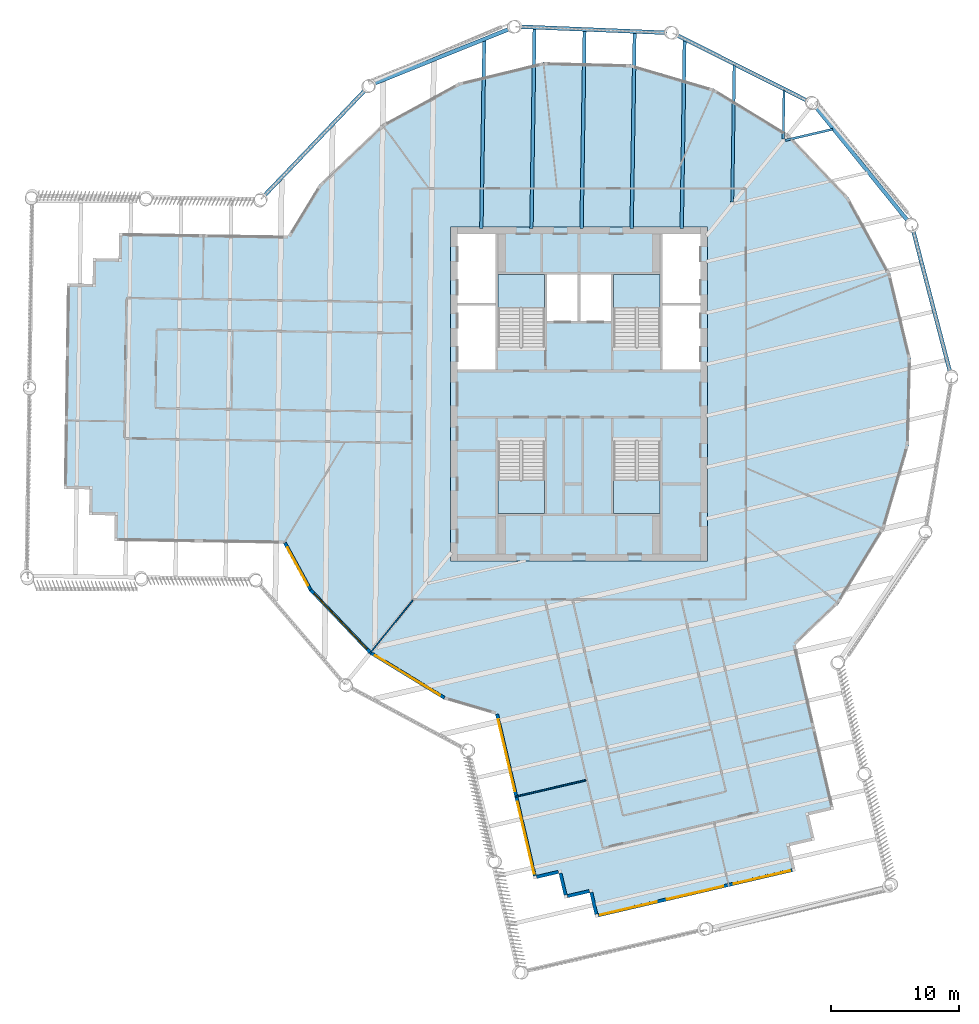
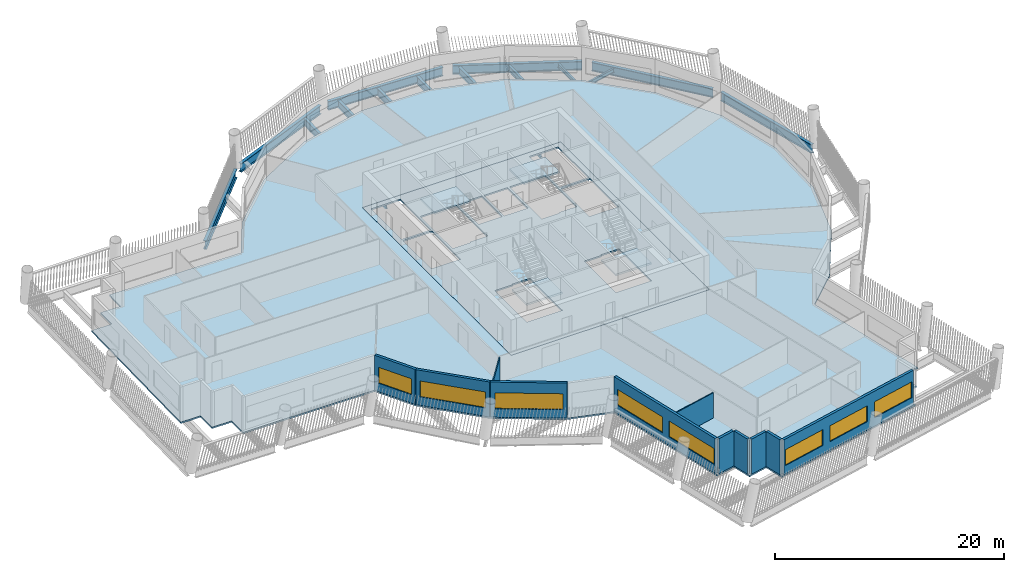
# One storey, part 2 of 15: 14 beams, 11 walls, 8 windows, 6 slabs, 8 openings, 4 elements without a shape of their own.
"""IFC4 building model written with IfcOpenShell, lengths in metres."""

from ifc_helpers import new_model, si_unit, direction, frame, frame_2d, origin, origin_2d, place, context, subcontext, project, spatial, polyline, rectangle, i_section, outline, extrude, material, layer, layer_set, material_profile, profile_set, type_object, element, fill, aggregate, save


model = new_model("IFC4")

# Units and contexts
model_context = context("Model", 3, precision=1e-05, world=origin(), true_north=direction((0.0, 1.0)))
body_context = subcontext(model_context, "Body", "Model", "MODEL_VIEW")
ifc_project = project(units=[si_unit("LENGTHUNIT", "METRE"), si_unit("AREAUNIT", "SQUARE_METRE"), si_unit("VOLUMEUNIT", "CUBIC_METRE"), si_unit("PLANEANGLEUNIT", "RADIAN"), si_unit("MASSUNIT", "GRAM", prefix="KILO")], contexts=[model_context])

# Site, building, storey
site_placement = place(None, origin())
site = spatial("IfcSite", under=ifc_project, at=site_placement, CompositionType="ELEMENT")
building_placement = place(site_placement, origin())
building = spatial("IfcBuilding", under=site, at=building_placement, Name="Tarsis Ring Headquarters", CompositionType="ELEMENT")
storey_placement = place(building_placement, frame((0.0, 0.0, 282.5)))
storey = spatial("IfcBuildingStorey", under=building, at=storey_placement, Name="L66", CompositionType="ELEMENT", Elevation=282.5)

# Beams
ifc_material_1 = material(Name="Structural steel S355", Category="steel")
ifc_material_profile_1 = material_profile(ifc_material_1, i_section(OverallWidth=0.177734375, OverallDepth=0.406494140625, WebThickness=0.0078125, FlangeThickness=0.0126953125, at=origin_2d()), Name="W16x40")
ifc_profile_set_1 = profile_set([ifc_material_profile_1], Name="Structural steel S355")
beam_type_1 = type_object("IfcBeamType", Name="FB Floor beam W16x40", PredefinedType="JOIST", material=ifc_profile_set_1)
beam_1_placement = place(storey_placement, frame((16.052490234375, 19.759521484375, -0.36328125), z_axis=(0.973894661256, 0.227000415806, 0.0), x_axis=(-0.227000415806, 0.973894661256, 0.0)))
element("IfcBeam", 1, at=beam_1_placement, inside=storey, type_object=beam_type_1, Name="Floor beam FB1", PredefinedType="JOIST", context=body_context, shape_type="SweptSolid", body=[
    extrude(i_section(OverallWidth=0.177734375, OverallDepth=0.406494140625, WebThickness=0.0078125, FlangeThickness=0.0126953125, at=origin_2d()), origin(), (0.0, 0.0, 1.0), 3.80517578125),
])
beam_2_placement = place(storey_placement, frame((15.965576171875, 23.681640625, -0.36328125), z_axis=(-0.015333455382, -0.999882435662, 0.0), x_axis=(0.999882435662, -0.015333455382, 0.0)))
element("IfcBeam", 2, at=beam_2_placement, inside=storey, type_object=beam_type_1, Name="Floor beam FB1", PredefinedType="JOIST", context=body_context, shape_type="SweptSolid", body=[
    extrude(i_section(OverallWidth=0.177734375, OverallDepth=0.406494140625, WebThickness=0.0078125, FlangeThickness=0.0126953125, at=origin_2d()), origin(), (0.0, 0.0, 1.0), 3.805419921875),
])
ifc_material_profile_2 = material_profile(ifc_material_1, i_section(OverallWidth=0.228271484375, OverallDepth=0.607177734375, WebThickness=0.01123046875, FlangeThickness=0.017333984375, at=origin_2d()), Name="W24x76")
ifc_profile_set_2 = profile_set([ifc_material_profile_2], Name="Structural steel S355")
beam_type_2 = type_object("IfcBeamType", Name="FB Floor beam W24x76", PredefinedType="JOIST", material=ifc_profile_set_2)
beam_3_placement = place(storey_placement, frame((12.094970703125, 25.62890625, -0.463623046875), z_axis=(-0.015355030377, -0.999882104571, 0.0), x_axis=(0.999882104571, -0.015355030377, 0.0)))
element("IfcBeam", 3, at=beam_3_placement, inside=storey, type_object=beam_type_2, Name="Floor beam FB4", PredefinedType="JOIST", context=body_context, shape_type="SweptSolid", body=[
    extrude(i_section(OverallWidth=0.228271484375, OverallDepth=0.607177734375, WebThickness=0.01123046875, FlangeThickness=0.017333984375, at=origin_2d()), origin(), (0.0, 0.0, 1.0), 10.6845703125),
])
ifc_material_profile_3 = material_profile(ifc_material_1, i_section(OverallWidth=0.2666015625, OverallDepth=0.7568359375, WebThickness=0.013916015625, FlangeThickness=0.019287109375, at=origin_2d()), Name="W30x108")
ifc_profile_set_3 = profile_set([ifc_material_profile_3], Name="Structural steel S355")
beam_type_3 = type_object("IfcBeamType", Name="FB Floor beam W30x108", PredefinedType="JOIST", material=ifc_profile_set_3)
beam_4_placement = place(storey_placement, frame((8.224609375, 27.576416015625, -0.538330078125), z_axis=(-0.015368724449, -0.99988189418, 0.0), x_axis=(0.99988189418, -0.015368724449, 0.0)))
element("IfcBeam", 4, at=beam_4_placement, inside=storey, type_object=beam_type_3, Name="Floor beam FB6", PredefinedType="JOIST", context=body_context, shape_type="SweptSolid", body=[
    extrude(i_section(OverallWidth=0.2666015625, OverallDepth=0.7568359375, WebThickness=0.013916015625, FlangeThickness=0.019287109375, at=origin_2d()), origin(), (0.0, 0.0, 1.0), 14.67822265625),
])
beam_5_placement = place(storey_placement, frame((4.33349609375, 28.185791015625, -0.538330078125), z_axis=(-0.015362898985, -0.999881983703, 0.0), x_axis=(0.999881983703, -0.015362898985, 0.0)))
element("IfcBeam", 5, at=beam_5_placement, inside=storey, type_object=beam_type_3, Name="Floor beam FB6", PredefinedType="JOIST", context=body_context, shape_type="SweptSolid", body=[
    extrude(i_section(OverallWidth=0.2666015625, OverallDepth=0.7568359375, WebThickness=0.013916015625, FlangeThickness=0.019287109375, at=origin_2d()), origin(), (0.0, 0.0, 1.0), 15.28759765625),
])
beam_6_placement = place(storey_placement, frame((0.435302734375, 28.3466796875, -0.538330078125), z_axis=(-0.015345118876, -0.999882256732, 0.0), x_axis=(0.999882256732, -0.015345118876, 0.0)))
element("IfcBeam", 6, at=beam_6_placement, inside=storey, type_object=beam_type_3, Name="Floor beam FB6", PredefinedType="JOIST", context=body_context, shape_type="SweptSolid", body=[
    extrude(i_section(OverallWidth=0.2666015625, OverallDepth=0.7568359375, WebThickness=0.013916015625, FlangeThickness=0.019287109375, at=origin_2d()), origin(), (0.0, 0.0, 1.0), 15.448486328125),
])
beam_7_placement = place(storey_placement, frame((-3.462646484375, 28.5078125, -0.538330078125), z_axis=(-0.015358738789, -0.999882047615, 0.0), x_axis=(0.999882047615, -0.015358738789, 0.0)))
element("IfcBeam", 7, at=beam_7_placement, inside=storey, type_object=beam_type_3, Name="Floor beam FB6", PredefinedType="JOIST", context=body_context, shape_type="SweptSolid", body=[
    extrude(i_section(OverallWidth=0.2666015625, OverallDepth=0.7568359375, WebThickness=0.013916015625, FlangeThickness=0.019287109375, at=origin_2d()), origin(), (0.0, 0.0, 1.0), 15.60986328125),
])
beam_8_placement = place(storey_placement, frame((-7.37744140625, 27.57568359375, -0.538330078125), z_axis=(-0.015352861546, -0.999882137875, 0.0), x_axis=(0.999882137875, -0.015352861546, 0.0)))
element("IfcBeam", 8, at=beam_8_placement, inside=storey, type_object=beam_type_3, Name="Floor beam FB6", PredefinedType="JOIST", context=body_context, shape_type="SweptSolid", body=[
    extrude(i_section(OverallWidth=0.2666015625, OverallDepth=0.7568359375, WebThickness=0.013916015625, FlangeThickness=0.019287109375, at=origin_2d()), origin(), (0.0, 0.0, 1.0), 14.677490234375),
])
ifc_material_profile_4 = material_profile(ifc_material_1, i_section(OverallWidth=0.309814453125, OverallDepth=0.93212890625, WebThickness=0.02099609375, FlangeThickness=0.034423828125, at=origin_2d()), Name="W36x210")
ifc_profile_set_4 = profile_set([ifc_material_profile_4], Name="Structural steel S355")
beam_type_4 = type_object("IfcBeamType", Name="XG Ring girder W36x210", PredefinedType="BEAM", material=ifc_profile_set_4)
for number, where, z_axis, x_axis, name in (
    (9, (28.906982421875, 1.676513671875, -0.466064453125), (-0.252163223208, 0.967684715629, 0.0), (-0.967684715629, -0.252163223208, 0.0), "Ring girder XG3"),
    (10, (25.64599609375, 13.442626953125, -0.466064453125), (-0.628616832862, 0.777715164724, 0.0), (-0.777715164724, -0.628616832862, 0.0), "Ring girder XG3"),
):
    element("IfcBeam", number, at=place(storey_placement, frame(where, z_axis=z_axis, x_axis=x_axis)), inside=storey, type_object=beam_type_4, Name=name, PredefinedType="BEAM", context=body_context, shape_type="SweptSolid", body=[
        extrude(i_section(OverallWidth=0.309814453125, OverallDepth=0.93212890625, WebThickness=0.02099609375, FlangeThickness=0.034423828125, at=origin_2d()), origin(), (0.0, 0.0, 1.0), 11.33447265625),
    ])
beam_9_placement = place(storey_placement, frame((17.8251953125, 22.818603515625, -0.466064453125), z_axis=(-0.893300011986, 0.449460886603, 0.0), x_axis=(-0.449460886603, -0.893300011986, 0.0)))
element("IfcBeam", 11, at=beam_9_placement, inside=storey, type_object=beam_type_4, Name="Ring girder XG3", PredefinedType="BEAM", context=body_context, shape_type="SweptSolid", body=[
    extrude(i_section(OverallWidth=0.309814453125, OverallDepth=0.93212890625, WebThickness=0.02099609375, FlangeThickness=0.034423828125, at=origin_2d()), origin(), (0.0, 0.0, 1.0), 11.334716796875),
])
for number, where, z_axis, x_axis, name in (
    (12, (6.834716796875, 28.137451171875, -0.466064453125), (-0.99914801515, 0.041270374618, 0.0), (-0.041270374618, -0.99914801515, 0.0), "Ring girder XG3"),
    (13, (-5.370849609375, 28.453125, -0.466064453125), (-0.927334433602, -0.374233681348, 0.0), (0.374233681348, -0.927334433602, 0.0), "Ring girder XG3"),
    (14, (-16.621337890625, 23.709716796875, -0.466064453125), (-0.690646321258, -0.723192684513, 0.0), (0.723192684513, -0.690646321258, 0.0), "Ring girder XG3"),
):
    element("IfcBeam", number, at=place(storey_placement, frame(where, z_axis=z_axis, x_axis=x_axis)), inside=storey, type_object=beam_type_4, Name=name, PredefinedType="BEAM", context=body_context, shape_type="SweptSolid", body=[
        extrude(i_section(OverallWidth=0.309814453125, OverallDepth=0.93212890625, WebThickness=0.02099609375, FlangeThickness=0.034423828125, at=origin_2d()), origin(), (0.0, 0.0, 1.0), 11.33447265625),
    ])

# Slab
ifc_material_2 = material(Name="Concrete C40/50", Category="concrete")
ifc_layer_1 = layer(ifc_material_2, 0.159912109375)
ifc_layer_set_1 = layer_set([ifc_layer_1], Name="Core floor slab 160 C40/50")
slab_type_1 = type_object("IfcSlabType", Name="Core floor slab 160 C40/50", PredefinedType="FLOOR", material=ifc_layer_set_1)
slab_1_placement = place(storey_placement, frame((0.0, 0.0, -0.159912109375)))
element("IfcSlab", 15, at=slab_1_placement, inside=storey, type_object=slab_type_1, Name="L66 core floor slab", PredefinedType="FLOOR", context=body_context, shape_type="SweptSolid", body=[
    extrude(outline(polyline([(-10.0, -13.0), (10.0, -13.0), (10.0, 13.0), (-10.0, 13.0), (-10.0, -13.0)]), holes=[polyline([(-2.5, 5.699951171875), (-0.10009765625, 5.699951171875), (-0.10009765625, 9.300048828125), (-2.5, 9.300048828125), (-2.5, 5.699951171875)]), polyline([(0.10009765625, 5.699951171875), (2.5, 5.699951171875), (2.5, 9.300048828125), (0.10009765625, 9.300048828125), (0.10009765625, 5.699951171875)]), polyline([(-9.449951171875, 1.89990234375), (-6.5, 1.89990234375), (-6.5, 6.89990234375), (-9.449951171875, 6.89990234375), (-9.449951171875, 1.89990234375)]), polyline([(-9.449951171875, 7.10009765625), (-6.5, 7.10009765625), (-6.5, 12.449951171875), (-9.449951171875, 12.449951171875), (-9.449951171875, 7.10009765625)]), polyline([(6.5, 1.89990234375), (9.449951171875, 1.89990234375), (9.449951171875, 6.89990234375), (6.5, 6.89990234375), (6.5, 1.89990234375)]), polyline([(6.5, 7.10009765625), (9.449951171875, 7.10009765625), (9.449951171875, 12.449951171875), (6.5, 12.449951171875), (6.5, 7.10009765625)]), polyline([(-2.699951171875, 3.760009765625), (-2.699951171875, 9.300048828125), (-6.300048828125, 9.300048828125), (-6.300048828125, 3.659912109375), (-4.4599609375, 3.659912109375), (-4.4599609375, 3.760009765625), (-2.699951171875, 3.760009765625)]), polyline([(6.300048828125, 3.760009765625), (6.300048828125, 9.300048828125), (2.699951171875, 9.300048828125), (2.699951171875, 3.659912109375), (4.5400390625, 3.659912109375), (4.5400390625, 3.760009765625), (6.300048828125, 3.760009765625)]), polyline([(-6.300048828125, -3.760009765625), (-6.300048828125, -9.300048828125), (-2.699951171875, -9.300048828125), (-2.699951171875, -3.659912109375), (-4.5400390625, -3.659912109375), (-4.5400390625, -3.760009765625), (-6.300048828125, -3.760009765625)]), polyline([(2.699951171875, -3.760009765625), (2.699951171875, -9.300048828125), (6.300048828125, -9.300048828125), (6.300048828125, -3.659912109375), (4.4599609375, -3.659912109375), (4.4599609375, -3.760009765625), (2.699951171875, -3.760009765625)])]), origin(), (0.0, 0.0, 1.0), 0.159912109375),
])

# Stair, slab
ifc_material_3 = material(Name="Core stair 1760")
stair_type = type_object("IfcStairType", Name="Core stair 1760", PredefinedType="HALF_TURN_STAIR", material=ifc_material_3)
stair_1_placement = place(storey_placement, origin())
stair_1 = element("IfcStair", 16, at=stair_1_placement, inside=storey, type_object=stair_type, Name="L66 Firefighting stair", PredefinedType="HALF_TURN_STAIR")
ifc_layer_2 = layer(ifc_material_2, 0.199951171875)
ifc_layer_set_2 = layer_set([ifc_layer_2], Name="Core stair landing 200")
slab_type_2 = type_object("IfcSlabType", Name="Core stair landing 200", PredefinedType="LANDING", material=ifc_layer_set_2)
slab_2_placement = place(storey_placement, frame((0.0, 0.0, 1.75)))
slab_2 = element("IfcSlab", 17, at=slab_2_placement, type_object=slab_type_2, Name="Stair ST1 landing 1", PredefinedType="LANDING", context=body_context, shape_type="SweptSolid", body=[
    extrude(outline(polyline([(-2.699951171875, 6.739990234375), (-2.699951171875, 9.300048828125), (-6.300048828125, 9.300048828125), (-6.300048828125, 6.739990234375), (-2.699951171875, 6.739990234375)])), origin(), (0.0, 0.0, 1.0), 0.199951171875),
])
aggregate(stair_1, [slab_2])

stair_2_placement = place(storey_placement, origin())
stair_2 = element("IfcStair", 18, at=stair_2_placement, inside=storey, type_object=stair_type, Name="L66 Exit stair B", PredefinedType="HALF_TURN_STAIR")
slab_3_placement = place(storey_placement, frame((0.0, 0.0, 1.75)))
slab_3 = element("IfcSlab", 19, at=slab_3_placement, type_object=slab_type_2, Name="Stair ST2 landing 1", PredefinedType="LANDING", context=body_context, shape_type="SweptSolid", body=[
    extrude(outline(polyline([(6.300048828125, 6.739990234375), (6.300048828125, 9.300048828125), (2.699951171875, 9.300048828125), (2.699951171875, 6.739990234375), (6.300048828125, 6.739990234375)])), origin(), (0.0, 0.0, 1.0), 0.199951171875),
])
aggregate(stair_2, [slab_3])

stair_3_placement = place(storey_placement, origin())
stair_3 = element("IfcStair", 20, at=stair_3_placement, inside=storey, type_object=stair_type, Name="L66 Exit stair C", PredefinedType="HALF_TURN_STAIR")
slab_4_placement = place(storey_placement, frame((0.0, 0.0, 1.75)))
slab_4 = element("IfcSlab", 21, at=slab_4_placement, type_object=slab_type_2, Name="Stair ST3 landing 1", PredefinedType="LANDING", context=body_context, shape_type="SweptSolid", body=[
    extrude(outline(polyline([(-6.300048828125, -6.739990234375), (-6.300048828125, -9.300048828125), (-2.699951171875, -9.300048828125), (-2.699951171875, -6.739990234375), (-6.300048828125, -6.739990234375)])), origin(), (0.0, 0.0, 1.0), 0.199951171875),
])
aggregate(stair_3, [slab_4])

stair_4_placement = place(storey_placement, origin())
stair_4 = element("IfcStair", 22, at=stair_4_placement, inside=storey, type_object=stair_type, Name="L66 Exit stair D", PredefinedType="HALF_TURN_STAIR")
slab_5_placement = place(storey_placement, frame((0.0, 0.0, 1.75)))
slab_5 = element("IfcSlab", 23, at=slab_5_placement, type_object=slab_type_2, Name="Stair ST4 landing 1", PredefinedType="LANDING", context=body_context, shape_type="SweptSolid", body=[
    extrude(outline(polyline([(2.699951171875, -6.739990234375), (2.699951171875, -9.300048828125), (6.300048828125, -9.300048828125), (6.300048828125, -6.739990234375), (2.699951171875, -6.739990234375)])), origin(), (0.0, 0.0, 1.0), 0.199951171875),
])
aggregate(stair_4, [slab_5])

# Slab
ifc_material_4 = material(Name="Concrete C35/45", Category="concrete")
ifc_layer_3 = layer(ifc_material_4, 0.159912109375)
ifc_layer_set_3 = layer_set([ifc_layer_3], Name="FS Composite floor slab 160")
slab_type_3 = type_object("IfcSlabType", Name="FS Composite floor slab 160", PredefinedType="FLOOR", material=ifc_layer_set_3)
slab_6_placement = place(storey_placement, frame((0.0, 0.0, -0.159912109375)))
element("IfcSlab", 24, at=slab_6_placement, inside=storey, type_object=slab_type_3, Name="Floor slab L66", PredefinedType="FLOOR", context=body_context, shape_type="SweptSolid", body=[
    extrude(outline(polyline([(-23.009521484375, -11.64794921875), (-21.00244140625, -15.326416015625), (-16.320068359375, -20.239990234375), (-10.525390625, -23.774169921875), (-6.5048828125, -24.9560546875), (-3.51513671875, -37.7841796875), (-1.5673828125, -37.330078125), (-1.11328125, -39.278076171875), (0.83447265625, -38.823974609375), (1.28857421875, -40.771728515625), (16.870849609375, -37.139892578125), (16.416748046875, -35.192138671875), (18.36474609375, -34.73828125), (17.91064453125, -32.790283203125), (19.8583984375, -32.33642578125), (16.873291015625, -19.5283203125), (20.239990234375, -16.320068359375), (23.774169921875, -10.525390625), (25.6884765625, -4.013427734375), (25.851806640625, 2.77197265625), (24.25341796875, 9.368408203125), (21.00244140625, 15.326416015625), (16.320068359375, 20.239990234375), (10.525390625, 23.774169921875), (4.013427734375, 25.6884765625), (-2.77197265625, 25.851806640625), (-9.368408203125, 24.25341796875), (-15.326416015625, 21.00244140625), (-20.239990234375, 16.320068359375), (-22.66162109375, 12.349609375), (-35.8115234375, 12.551513671875), (-35.84228515625, 10.5517578125), (-37.842041015625, 10.58251953125), (-37.87255859375, 8.582763671875), (-39.872314453125, 8.61328125), (-40.1181640625, -7.384765625), (-38.118408203125, -7.41552734375), (-38.149169921875, -9.415283203125), (-36.1494140625, -9.44580078125), (-36.179931640625, -11.44580078125), (-23.009521484375, -11.64794921875)]), holes=[polyline([(-10.0, -13.0), (-10.0, 13.0), (10.0, 13.0), (10.0, -13.0), (-10.0, -13.0)])]), origin(), (0.0, 0.0, 1.0), 0.159912109375),
])

# Walls
ifc_material_5 = material(Name="Gypsum board on steel studs", Category="steel")
ifc_layer_4 = layer(ifc_material_5, 0.10009765625)
ifc_layer_set_4 = layer_set([ifc_layer_4], Name="FL partition 100 unrated")
wall_type_1 = type_object("IfcWallType", Name="FL partition 100 unrated", PredefinedType="PARTITIONING", material=ifc_layer_set_4)
wall_1_placement = place(storey_placement, frame((-4.96240234375, -31.35498046875, 0.0), z_axis=(0.0, 0.0, 1.0), x_axis=(0.973893043601, 0.227007355883, 0.0)))
element("IfcWall", 25, at=wall_1_placement, inside=storey, type_object=wall_type_1, Name="Partition PW3", PredefinedType="PARTITIONING", context=body_context, shape_type="SweptSolid", body=[
    extrude(rectangle(XDim=5.66015625, YDim=0.10009765625, at=frame_2d((2.830078125, 0.0))), origin(), (0.0, 0.0, 1.0), 2.699951171875),
])
wall_2_placement = place(storey_placement, frame((-16.287109375, -20.199462890625, 0.0), z_axis=(0.0, 0.0, 1.0), x_axis=(0.627676412515, 0.778474354858, 0.0)))
element("IfcWall", 26, at=wall_2_placement, inside=storey, type_object=wall_type_1, Name="Partition PW3", PredefinedType="PARTITIONING", context=body_context, shape_type="SweptSolid", body=[
    extrude(rectangle(XDim=5.33447265625, YDim=0.10009765625, at=frame_2d((2.667236328125, 0.0))), origin(), (0.0, 0.0, 1.0), 2.699951171875),
])

# Wall, opening, window
ifc_material_6 = material(Name="Terracotta clad insulated panel wall", Category="masonry")
ifc_layer_5 = layer(ifc_material_6, 0.25)
ifc_layer_set_5 = layer_set([ifc_layer_5], Name="Facade wall terracotta panel 250")
wall_type_2 = type_object("IfcWallType", Name="Facade wall terracotta panel 250", PredefinedType="STANDARD", material=ifc_layer_set_5)
wall_3_placement = place(storey_placement, frame((-22.89990234375, -11.588134765625, 0.0), z_axis=(0.0, 0.0, 1.0), x_axis=(0.478987894088, -0.877821506525, 0.0)))
wall_3 = element("IfcWall", 27, at=wall_3_placement, inside=storey, type_object=wall_type_2, Name="External wall L66-02", PredefinedType="STANDARD", context=body_context, shape_type="SweptSolid", body=[
    extrude(rectangle(XDim=4.15771484375, YDim=0.25, at=frame_2d((2.078857421875, 0.0))), origin(), (0.0, 0.0, 1.0), 3.739990234375),
])
opening_1_placement = place(wall_3_placement, frame((0.420166015625, 0.0, 0.89990234375)))
opening_1 = element("IfcOpeningElement", 28, at=opening_1_placement, cuts=wall_3, Name="Opening WN01", PredefinedType="OPENING", context=body_context, shape_type="SweptSolid", body=[
    extrude(rectangle(XDim=3.35009765625, YDim=1.699951171875, at=frame_2d((1.675048828125, 0.85009765625))), frame((0.0, 0.135009765625, 0.0), z_axis=(0.0, -1.0, 0.0), x_axis=(1.0, 0.0, 0.0)), (0.0, 0.0, 1.0), 0.27001953125),
])
ifc_material_7 = material(Name="Aluminium framed double glazing", Category="aluminium")
window_type_1 = type_object("IfcWindowType", Name="Facade window 3350 x 1700", PartitioningType="SINGLE_PANEL", PredefinedType="WINDOW", material=ifc_material_7)
window_1_placement = place(opening_1_placement, origin())
window_1 = element("IfcWindow", 29, at=window_1_placement, inside=storey, type_object=window_type_1, Name="Window L66-02.1", OverallHeight=1.699951171875, OverallWidth=3.35009765625, PartitioningType="SINGLE_PANEL", PredefinedType="WINDOW", context=body_context, shape_type="SweptSolid", body=[
    extrude(rectangle(XDim=3.35009765625, YDim=1.699951171875, at=frame_2d((1.675048828125, 0.85009765625))), frame((0.0, 0.030029296875, 0.0), z_axis=(0.0, -1.0, 0.0), x_axis=(1.0, 0.0, 0.0)), (0.0, 0.0, 1.0), 0.06005859375),
])
fill(opening_1, window_1)

wall_4_placement = place(storey_placement, frame((-20.88916015625, -15.263916015625, 0.0), z_axis=(0.0, 0.0, 1.0), x_axis=(0.689866467954, -0.723936638382, 0.0)))
wall_4 = element("IfcWall", 30, at=wall_4_placement, inside=storey, type_object=wall_type_2, Name="External wall L66-03", PredefinedType="STANDARD", context=body_context, shape_type="SweptSolid", body=[
    extrude(rectangle(XDim=6.721435546875, YDim=0.25, at=frame_2d((3.36083984375, 0.0))), origin(), (0.0, 0.0, 1.0), 3.739990234375),
])
opening_2_placement = place(wall_4_placement, frame((0.3857421875, 0.0, 0.89990234375)))
opening_2 = element("IfcOpeningElement", 31, at=opening_2_placement, cuts=wall_4, Name="Opening WN07", PredefinedType="OPENING", context=body_context, shape_type="SweptSolid", body=[
    extrude(rectangle(XDim=5.949951171875, YDim=1.699951171875, at=frame_2d((2.97509765625, 0.85009765625))), frame((0.0, 0.135009765625, 0.0), z_axis=(0.0, -1.0, 0.0), x_axis=(1.0, 0.0, 0.0)), (0.0, 0.0, 1.0), 0.27001953125),
])
window_type_2 = type_object("IfcWindowType", Name="Facade window 5950 x 1700", PartitioningType="SINGLE_PANEL", PredefinedType="WINDOW", material=ifc_material_7)
window_2_placement = place(opening_2_placement, origin())
window_2 = element("IfcWindow", 32, at=window_2_placement, inside=storey, type_object=window_type_2, Name="Window L66-03.1", OverallHeight=1.699951171875, OverallWidth=5.949951171875, PartitioningType="SINGLE_PANEL", PredefinedType="WINDOW", context=body_context, shape_type="SweptSolid", body=[
    extrude(rectangle(XDim=5.949951171875, YDim=1.699951171875, at=frame_2d((2.97509765625, 0.85009765625))), frame((0.0, 0.030029296875, 0.0), z_axis=(0.0, -1.0, 0.0), x_axis=(1.0, 0.0, 0.0)), (0.0, 0.0, 1.0), 0.06005859375),
])
fill(opening_2, window_2)

wall_5_placement = place(storey_placement, frame((-16.226806640625, -20.150390625, 0.0), z_axis=(0.0, 0.0, 1.0), x_axis=(0.853736710712, -0.520704934472, 0.0)))
wall_5 = element("IfcWall", 33, at=wall_5_placement, inside=storey, type_object=wall_type_2, Name="External wall L66-04", PredefinedType="STANDARD", context=body_context, shape_type="SweptSolid", body=[
    extrude(rectangle(XDim=6.7216796875, YDim=0.25, at=frame_2d((3.36083984375, 0.0))), origin(), (0.0, 0.0, 1.0), 3.739990234375),
])
opening_3_placement = place(wall_5_placement, frame((0.3857421875, 0.0, 0.89990234375)))
opening_3 = element("IfcOpeningElement", 34, at=opening_3_placement, cuts=wall_5, Name="Opening WN07", PredefinedType="OPENING", context=body_context, shape_type="SweptSolid", body=[
    extrude(rectangle(XDim=5.949951171875, YDim=1.699951171875, at=frame_2d((2.97509765625, 0.85009765625))), frame((0.0, 0.135009765625, 0.0), z_axis=(0.0, -1.0, 0.0), x_axis=(1.0, 0.0, 0.0)), (0.0, 0.0, 1.0), 0.27001953125),
])
window_3_placement = place(opening_3_placement, origin())
window_3 = element("IfcWindow", 35, at=window_3_placement, inside=storey, type_object=window_type_2, Name="Window L66-04.1", OverallHeight=1.699951171875, OverallWidth=5.949951171875, PartitioningType="SINGLE_PANEL", PredefinedType="WINDOW", context=body_context, shape_type="SweptSolid", body=[
    extrude(rectangle(XDim=5.949951171875, YDim=1.699951171875, at=frame_2d((2.97509765625, 0.85009765625))), frame((0.0, 0.030029296875, 0.0), z_axis=(0.0, -1.0, 0.0), x_axis=(1.0, 0.0, 0.0)), (0.0, 0.0, 1.0), 0.06005859375),
])
fill(opening_3, window_3)

# Wall, openings, windows
wall_6_placement = place(storey_placement, frame((-6.38330078125, -24.927734375, 0.0), z_axis=(0.0, 0.0, 1.0), x_axis=(0.226985328121, -0.973898177849, 0.0)))
wall_6 = element("IfcWall", 36, at=wall_6_placement, inside=storey, type_object=wall_type_2, Name="External wall L66-06", PredefinedType="STANDARD", context=body_context, shape_type="SweptSolid", body=[
    extrude(rectangle(XDim=12.922119140625, YDim=0.25, at=frame_2d((6.4609375, 0.0))), origin(), (0.0, 0.0, 1.0), 3.739990234375),
])
opening_4_placement = place(wall_6_placement, frame((0.41796875, 0.0, 0.89990234375)))
opening_4 = element("IfcOpeningElement", 37, at=opening_4_placement, cuts=wall_6, Name="Opening WN06", PredefinedType="OPENING", context=body_context, shape_type="SweptSolid", body=[
    extrude(rectangle(XDim=5.75, YDim=1.699951171875, at=frame_2d((2.875, 0.85009765625))), frame((0.0, 0.135009765625, 0.0), z_axis=(0.0, -1.0, 0.0), x_axis=(1.0, 0.0, 0.0)), (0.0, 0.0, 1.0), 0.27001953125),
])
opening_5_placement = place(wall_6_placement, frame((7.00390625, 0.0, 0.89990234375)))
opening_5 = element("IfcOpeningElement", 38, at=opening_5_placement, cuts=wall_6, Name="Opening WN06", PredefinedType="OPENING", context=body_context, shape_type="SweptSolid", body=[
    extrude(rectangle(XDim=5.75, YDim=1.699951171875, at=frame_2d((2.875, 0.85009765625))), frame((0.0, 0.135009765625, 0.0), z_axis=(0.0, -1.0, 0.0), x_axis=(1.0, 0.0, 0.0)), (0.0, 0.0, 1.0), 0.27001953125),
])
window_type_3 = type_object("IfcWindowType", Name="Facade window 5750 x 1700", PartitioningType="SINGLE_PANEL", PredefinedType="WINDOW", material=ifc_material_7)
window_4_placement = place(opening_4_placement, origin())
window_4 = element("IfcWindow", 39, at=window_4_placement, inside=storey, type_object=window_type_3, Name="Window L66-06.1", OverallHeight=1.699951171875, OverallWidth=5.75, PartitioningType="SINGLE_PANEL", PredefinedType="WINDOW", context=body_context, shape_type="SweptSolid", body=[
    extrude(rectangle(XDim=5.75, YDim=1.699951171875, at=frame_2d((2.875, 0.85009765625))), frame((0.0, 0.030029296875, 0.0), z_axis=(0.0, -1.0, 0.0), x_axis=(1.0, 0.0, 0.0)), (0.0, 0.0, 1.0), 0.06005859375),
])
fill(opening_4, window_4)
window_5_placement = place(opening_5_placement, origin())
window_5 = element("IfcWindow", 40, at=window_5_placement, inside=storey, type_object=window_type_3, Name="Window L66-06.2", OverallHeight=1.699951171875, OverallWidth=5.75, PartitioningType="SINGLE_PANEL", PredefinedType="WINDOW", context=body_context, shape_type="SweptSolid", body=[
    extrude(rectangle(XDim=5.75, YDim=1.699951171875, at=frame_2d((2.875, 0.85009765625))), frame((0.0, 0.030029296875, 0.0), z_axis=(0.0, -1.0, 0.0), x_axis=(1.0, 0.0, 0.0)), (0.0, 0.0, 1.0), 0.06005859375),
])
fill(opening_5, window_5)

# Walls
for number, where, z_axis, x_axis, name in (
    (41, (-3.300048828125, -37.605712890625, 0.0), (0.0, 0.0, 1.0), (0.973899832068, 0.22697823045, 0.0), "External wall L66-07"),
    (42, (-1.445556640625, -37.3017578125, 0.0), (0.0, 0.0, 1.0), (0.22697823045, -0.973899832068, 0.0), "External wall L66-08"),
    (43, (-0.898193359375, -39.099609375, 0.0), (0.0, 0.0, 1.0), (0.973899832068, 0.22697823045, 0.0), "External wall L66-09"),
    (44, (0.956298828125, -38.795654296875, 0.0), (0.0, 0.0, 1.0), (0.22697823045, -0.973899832068, 0.0), "External wall L66-10"),
):
    element("IfcWall", number, at=place(storey_placement, frame(where, z_axis=z_axis, x_axis=x_axis)), inside=storey, type_object=wall_type_2, Name=name, PredefinedType="STANDARD", context=body_context, shape_type="SweptSolid", body=[
        extrude(rectangle(XDim=1.75, YDim=0.25, at=frame_2d((0.875, 0.0))), origin(), (0.0, 0.0, 1.0), 3.739990234375),
    ])

# Wall, openings, windows
wall_7_placement = place(storey_placement, frame((1.503662109375, -40.59326171875, 0.0), z_axis=(0.0, 0.0, 1.0), x_axis=(0.973896948638, 0.226990602083, 0.0)))
wall_7 = element("IfcWall", 45, at=wall_7_placement, inside=storey, type_object=wall_type_2, Name="External wall L66-11", PredefinedType="STANDARD", context=body_context, shape_type="SweptSolid", body=[
    extrude(rectangle(XDim=15.499755859375, YDim=0.25, at=frame_2d((7.75, 0.0))), origin(), (0.0, 0.0, 1.0), 3.739990234375),
])
opening_6_placement = place(wall_7_placement, frame((0.166748046875, 0.0, 0.89990234375)))
opening_6 = element("IfcOpeningElement", 46, at=opening_6_placement, cuts=wall_7, Name="Opening WN04", PredefinedType="OPENING", context=body_context, shape_type="SweptSolid", body=[
    extrude(rectangle(XDim=4.5, YDim=1.699951171875, at=frame_2d((2.25, 0.85009765625))), frame((0.0, 0.135009765625, 0.0), z_axis=(0.0, -1.0, 0.0), x_axis=(1.0, 0.0, 0.0)), (0.0, 0.0, 1.0), 0.27001953125),
])
opening_7_placement = place(wall_7_placement, frame((5.5, 0.0, 0.89990234375)))
opening_7 = element("IfcOpeningElement", 47, at=opening_7_placement, cuts=wall_7, Name="Opening WN04", PredefinedType="OPENING", context=body_context, shape_type="SweptSolid", body=[
    extrude(rectangle(XDim=4.5, YDim=1.699951171875, at=frame_2d((2.25, 0.85009765625))), frame((0.0, 0.135009765625, 0.0), z_axis=(0.0, -1.0, 0.0), x_axis=(1.0, 0.0, 0.0)), (0.0, 0.0, 1.0), 0.27001953125),
])
opening_8_placement = place(wall_7_placement, frame((10.833251953125, 0.0, 0.89990234375)))
opening_8 = element("IfcOpeningElement", 48, at=opening_8_placement, cuts=wall_7, Name="Opening WN04", PredefinedType="OPENING", context=body_context, shape_type="SweptSolid", body=[
    extrude(rectangle(XDim=4.5, YDim=1.699951171875, at=frame_2d((2.25, 0.85009765625))), frame((0.0, 0.135009765625, 0.0), z_axis=(0.0, -1.0, 0.0), x_axis=(1.0, 0.0, 0.0)), (0.0, 0.0, 1.0), 0.27001953125),
])
window_type_4 = type_object("IfcWindowType", Name="Facade window 4500 x 1700", PartitioningType="SINGLE_PANEL", PredefinedType="WINDOW", material=ifc_material_7)
window_6_placement = place(opening_6_placement, origin())
window_6 = element("IfcWindow", 49, at=window_6_placement, inside=storey, type_object=window_type_4, Name="Window L66-11.1", OverallHeight=1.699951171875, OverallWidth=4.5, PartitioningType="SINGLE_PANEL", PredefinedType="WINDOW", context=body_context, shape_type="SweptSolid", body=[
    extrude(rectangle(XDim=4.5, YDim=1.699951171875, at=frame_2d((2.25, 0.85009765625))), frame((0.0, 0.030029296875, 0.0), z_axis=(0.0, -1.0, 0.0), x_axis=(1.0, 0.0, 0.0)), (0.0, 0.0, 1.0), 0.06005859375),
])
fill(opening_6, window_6)
window_7_placement = place(opening_7_placement, origin())
window_7 = element("IfcWindow", 50, at=window_7_placement, inside=storey, type_object=window_type_4, Name="Window L66-11.2", OverallHeight=1.699951171875, OverallWidth=4.5, PartitioningType="SINGLE_PANEL", PredefinedType="WINDOW", context=body_context, shape_type="SweptSolid", body=[
    extrude(rectangle(XDim=4.5, YDim=1.699951171875, at=frame_2d((2.25, 0.85009765625))), frame((0.0, 0.030029296875, 0.0), z_axis=(0.0, -1.0, 0.0), x_axis=(1.0, 0.0, 0.0)), (0.0, 0.0, 1.0), 0.06005859375),
])
fill(opening_7, window_7)
window_8_placement = place(opening_8_placement, origin())
window_8 = element("IfcWindow", 51, at=window_8_placement, inside=storey, type_object=window_type_4, Name="Window L66-11.3", OverallHeight=1.699951171875, OverallWidth=4.5, PartitioningType="SINGLE_PANEL", PredefinedType="WINDOW", context=body_context, shape_type="SweptSolid", body=[
    extrude(rectangle(XDim=4.5, YDim=1.699951171875, at=frame_2d((2.25, 0.85009765625))), frame((0.0, 0.030029296875, 0.0), z_axis=(0.0, -1.0, 0.0), x_axis=(1.0, 0.0, 0.0)), (0.0, 0.0, 1.0), 0.06005859375),
])
fill(opening_8, window_8)

save(model, "model.ifc")
